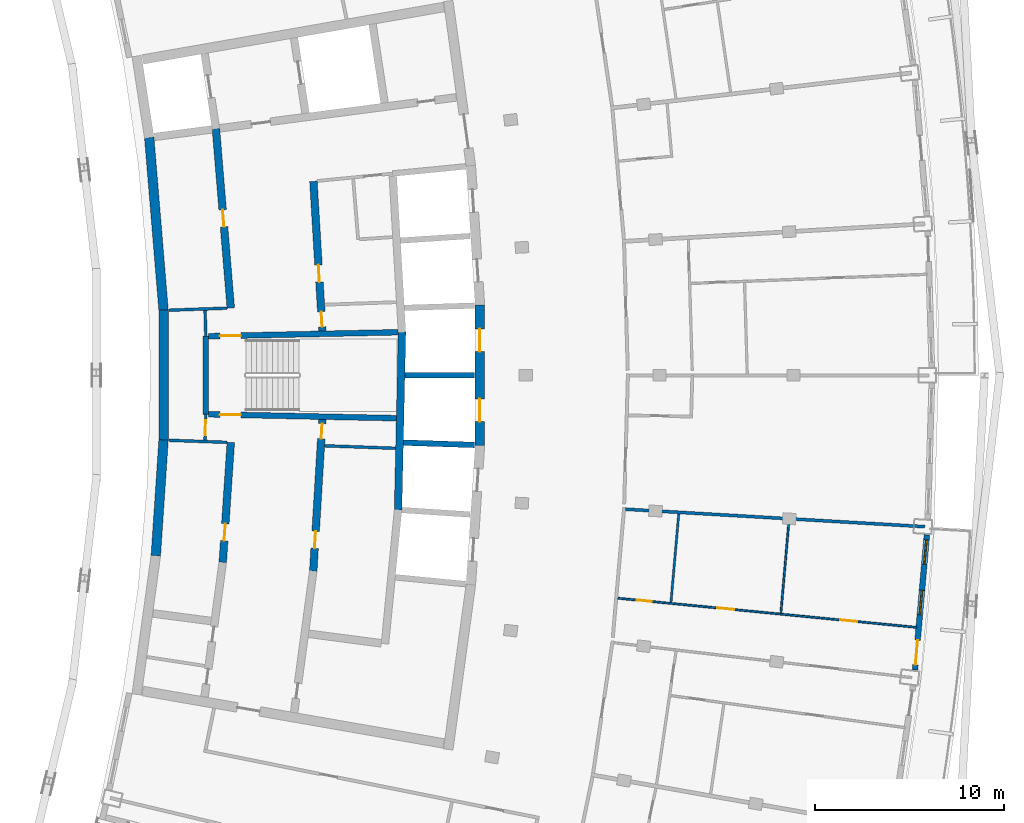
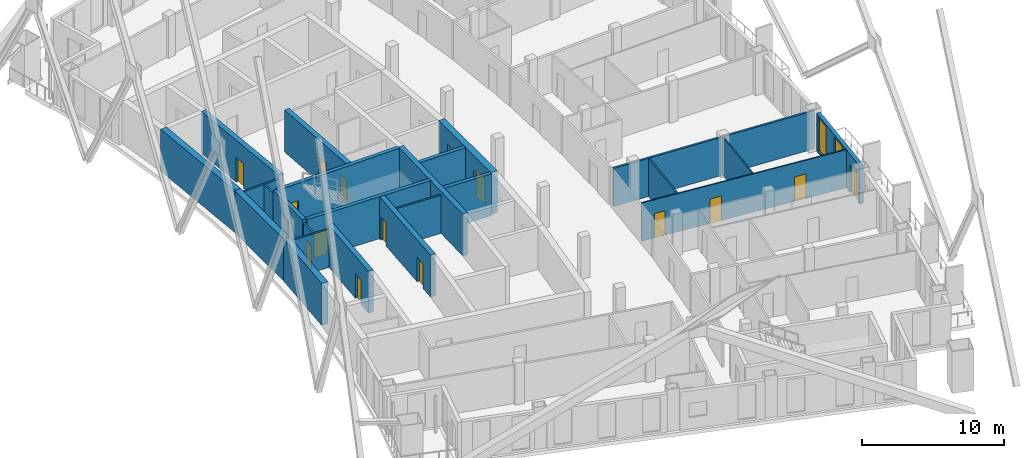
# One storey, part 10 of 16: 24 walls, 15 doors, 2 windows, 17 openings.
"""IFC4 building model written with IfcOpenShell, lengths in metres."""

from ifc_helpers import new_model, si_unit, direction, frame, frame_2d, origin, place, context, subcontext, project, spatial, rectangle, extrude, material, layer, layer_set, type_object, element, fill, save


model = new_model("IFC4")

# Units and contexts
model_context = context("Model", 3, precision=1e-05, world=origin(), true_north=direction((0.0, 1.0)))
body_context = subcontext(model_context, "Body", "Model", "MODEL_VIEW")
ifc_project = project(units=[si_unit("LENGTHUNIT", "METRE"), si_unit("AREAUNIT", "SQUARE_METRE"), si_unit("VOLUMEUNIT", "CUBIC_METRE"), si_unit("PLANEANGLEUNIT", "RADIAN"), si_unit("MASSUNIT", "GRAM", prefix="KILO")], contexts=[model_context])

# Site, building, storey
site_placement = place(None, origin())
site = spatial("IfcSite", under=ifc_project, at=site_placement, CompositionType="ELEMENT")
building_placement = place(site_placement, origin())
building = spatial("IfcBuilding", under=site, at=building_placement, Name="Alderwake Tower", CompositionType="ELEMENT")
storey_placement = place(building_placement, frame((0.0, 0.0, 245.60009765625)))
storey = spatial("IfcBuildingStorey", under=building, at=storey_placement, Name="L60", CompositionType="ELEMENT", Elevation=245.60009765625)

# Wall
ifc_material_1 = material(Name="Gypsum shaft wall system, rated")
ifc_layer_1 = layer(ifc_material_1, 0.14990234375)
ifc_layer_set_1 = layer_set([ifc_layer_1], Name="Core riser partition 150")
wall_type_1 = type_object("IfcWallType", Name="Core riser partition 150", PredefinedType="PARTITIONING", material=ifc_layer_set_1)
wall_1_placement = place(storey_placement, frame((25.1904296875, 57.276611328125, 0.0), z_axis=(0.0, 0.0, 1.0), x_axis=(0.99937350076, -0.035392173974, 0.0)))
element("IfcWall", 1, at=wall_1_placement, inside=storey, type_object=wall_type_1, Name="CW/L60/PR-37_+86", PredefinedType="PARTITIONING", context=body_context, shape_type="SweptSolid", body=[
    extrude(rectangle(XDim=3.752685546875, YDim=0.14990234375, at=frame_2d((1.87646484375, 0.0))), origin(), (0.0, 0.0, 1.0), 3.27978515625),
])

# Wall, opening, door
ifc_material_2 = material(Name="Gypsum shaft wall system, rated")
ifc_layer_2 = layer(ifc_material_2, 0.14990234375)
ifc_layer_set_2 = layer_set([ifc_layer_2], Name="Core room partition 150")
wall_type_2 = type_object("IfcWallType", Name="Core room partition 150", PredefinedType="PARTITIONING", material=ifc_layer_set_2)
wall_2_placement = place(storey_placement, frame((18.918701171875, 58.94384765625, 0.0), z_axis=(0.0, 0.0, 1.0), x_axis=(-0.027811602725, -0.999613182563, 0.0)))
wall_2 = element("IfcWall", 2, at=wall_2_placement, inside=storey, type_object=wall_type_2, Name="CW/L60/PA+24_-37", PredefinedType="PARTITIONING", context=body_context, shape_type="SweptSolid", body=[
    extrude(rectangle(XDim=1.369384765625, YDim=0.14990234375, at=frame_2d((0.6845703125, 0.0))), origin(), (0.0, 0.0, 1.0), 3.27978515625),
])
opening_1_placement = place(wall_2_placement, frame((0.322998046875, 0.0, 0.0)))
opening_1 = element("IfcOpeningElement", 3, at=opening_1_placement, cuts=wall_2, Name="Opening C004", PredefinedType="OPENING", context=body_context, shape_type="SweptSolid", body=[
    extrude(rectangle(XDim=0.800048828125, YDim=2.0, at=frame_2d((0.39990234375, 1.0))), frame((0.0, 0.0849609375, 0.0), z_axis=(0.0, -1.0, 0.0), x_axis=(1.0, 0.0, 0.0)), (0.0, 0.0, 1.0), 0.169921875),
])
ifc_material_3 = material(Name="Painted steel leaf, rated", Category="steel")
door_type_1 = type_object("IfcDoorType", Name="Riser access door 800", OperationType="SINGLE_SWING_LEFT", PredefinedType="DOOR", material=ifc_material_3)
door_1_placement = place(opening_1_placement, origin())
door_1 = element("IfcDoor", 4, at=door_1_placement, inside=storey, type_object=door_type_1, Name="Riser access door", OperationType="SINGLE_SWING_RIGHT", OverallHeight=2.0, OverallWidth=0.800048828125, PredefinedType="DOOR", context=body_context, shape_type="SweptSolid", body=[
    extrude(rectangle(XDim=0.800048828125, YDim=2.0, at=frame_2d((0.39990234375, 1.0))), frame((0.0, 0.02490234375, 0.0), z_axis=(0.0, -1.0, 0.0), x_axis=(1.0, 0.0, 0.0)), (0.0, 0.0, 1.0), 0.050048828125),
])
fill(opening_1, door_1)

# Walls
wall_3_placement = place(storey_placement, frame((18.918701171875, 63.05517578125, 0.0), z_axis=(0.0, 0.0, 1.0), x_axis=(-0.027791791559, 0.99961373356, 0.0)))
element("IfcWall", 5, at=wall_3_placement, inside=storey, type_object=wall_type_2, Name="CW/L60/PA+24_+22", PredefinedType="PARTITIONING", context=body_context, shape_type="SweptSolid", body=[
    extrude(rectangle(XDim=1.370361328125, YDim=0.14990234375, at=frame_2d((0.68505859375, 0.0))), origin(), (0.0, 0.0, 1.0), 3.27978515625),
])
for number, where, z_axis, x_axis, name in (
    (6, (16.969482421875, 57.5673828125, 0.0), (0.0, 0.0, 1.0), (0.999376258731, -0.035314210814, 0.0), "CW/L60/PR-37_+0"),
    (7, (16.969482421875, 64.4326171875, 0.0), (0.0, 0.0, 1.0), (0.999376258731, 0.035314210814, 0.0), "CW/L60/PR+37_+0"),
):
    element("IfcWall", number, at=place(storey_placement, frame(where, z_axis=z_axis, x_axis=x_axis)), inside=storey, type_object=wall_type_2, Name=name, PredefinedType="PARTITIONING", context=body_context, shape_type="SweptSolid", body=[
        extrude(rectangle(XDim=3.069580078125, YDim=0.14990234375, at=frame_2d((1.53466796875, 0.0))), origin(), (0.0, 0.0, 1.0), 3.27978515625),
    ])
ifc_material_4 = material(Name="Concrete C70/85", Category="concrete")
ifc_layer_3 = layer(ifc_material_4, 0.5)
ifc_layer_set_3 = layer_set([ifc_layer_3], Name="Core wall outer 500 C70-85")
wall_type_3 = type_object("IfcWallType", Name="Core wall outer 500 C70-85", PredefinedType="SHEAR", material=ifc_layer_set_3)
wall_4_placement = place(storey_placement, frame((16.280517578125, 51.4765625, 0.0), z_axis=(0.0, 0.0, 1.0), x_axis=(0.066863022947, 0.997762164127, 0.0)))
element("IfcWall", 8, at=wall_4_placement, inside=storey, type_object=wall_type_3, Name="Core wall CW.027", PredefinedType="SHEAR", context=body_context, shape_type="SweptSolid", body=[
    extrude(rectangle(XDim=6.123291015625, YDim=0.5, at=frame_2d((3.0615234375, 0.0))), origin(), (0.0, 0.0, 1.0), 3.599853515625),
])
wall_5_placement = place(storey_placement, frame((16.689453125, 57.568603515625, 0.0), z_axis=(0.0, 0.0, 1.0), x_axis=(0.0, 1.0, 0.0)))
element("IfcWall", 9, at=wall_5_placement, inside=storey, type_object=wall_type_3, Name="Core wall CW.029", PredefinedType="SHEAR", context=body_context, shape_type="SweptSolid", body=[
    extrude(rectangle(XDim=6.86474609375, YDim=0.5, at=frame_2d((3.432373046875, 0.0))), origin(), (0.0, 0.0, 1.0), 3.599853515625),
])
wall_6_placement = place(storey_placement, frame((16.690185546875, 64.41162109375, 0.0), z_axis=(0.0, 0.0, 1.0), x_axis=(-0.082611702064, 0.996581811334, 0.0)))
element("IfcWall", 10, at=wall_6_placement, inside=storey, type_object=wall_type_3, Name="Core wall CW.026", PredefinedType="SHEAR", context=body_context, shape_type="SweptSolid", body=[
    extrude(rectangle(XDim=9.176025390625, YDim=0.5, at=frame_2d((4.587890625, 0.0))), origin(), (0.0, 0.0, 1.0), 3.599853515625),
])

# Wall, openings, doors
wall_7_placement = place(storey_placement, frame((33.389892578125, 57.30322265625, 0.0), z_axis=(0.0, 0.0, 1.0), x_axis=(0.0, 1.0, 0.0)))
wall_7 = element("IfcWall", 11, at=wall_7_placement, inside=storey, type_object=wall_type_3, Name="Core wall CW.023", PredefinedType="SHEAR", context=body_context, shape_type="SweptSolid", body=[
    extrude(rectangle(XDim=7.3935546875, YDim=0.5, at=frame_2d((3.69677734375, 0.0))), origin(), (0.0, 0.0, 1.0), 3.599853515625),
])
opening_2_placement = place(wall_7_placement, frame((1.25244140625, 0.0, 0.0)))
opening_2 = element("IfcOpeningElement", 12, at=opening_2_placement, cuts=wall_7, Name="Opening LD-HP3", PredefinedType="OPENING", context=body_context, shape_type="SweptSolid", body=[
    extrude(rectangle(XDim=1.199951171875, YDim=2.300048828125, at=frame_2d((0.60009765625, 1.14990234375))), frame((0.0, 0.260009765625, 0.0), z_axis=(0.0, -1.0, 0.0), x_axis=(1.0, 0.0, 0.0)), (0.0, 0.0, 1.0), 0.52001953125),
])
opening_3_placement = place(wall_7_placement, frame((4.94091796875, 0.0, 0.0)))
opening_3 = element("IfcOpeningElement", 13, at=opening_3_placement, cuts=wall_7, Name="Opening LD-HP4", PredefinedType="OPENING", context=body_context, shape_type="SweptSolid", body=[
    extrude(rectangle(XDim=1.199951171875, YDim=2.300048828125, at=frame_2d((0.60009765625, 1.14990234375))), frame((0.0, 0.260009765625, 0.0), z_axis=(0.0, -1.0, 0.0), x_axis=(1.0, 0.0, 0.0)), (0.0, 0.0, 1.0), 0.52001953125),
])
ifc_material_5 = material(Name="Stainless steel sliding leaf", Category="steel")
door_type_2 = type_object("IfcDoorType", Name="Lift landing door 1200", OperationType="SLIDING_TO_LEFT", PredefinedType="DOOR", material=ifc_material_5)
door_2_placement = place(opening_2_placement, origin())
door_2 = element("IfcDoor", 14, at=door_2_placement, inside=storey, type_object=door_type_2, Name="Lift landing door HP3", OperationType="SLIDING_TO_LEFT", OverallHeight=2.300048828125, OverallWidth=1.199951171875, PredefinedType="DOOR", context=body_context, shape_type="SweptSolid", body=[
    extrude(rectangle(XDim=1.199951171875, YDim=2.300048828125, at=frame_2d((0.60009765625, 1.14990234375))), frame((0.0, 0.02490234375, 0.0), z_axis=(0.0, -1.0, 0.0), x_axis=(1.0, 0.0, 0.0)), (0.0, 0.0, 1.0), 0.050048828125),
])
fill(opening_2, door_2)
door_3_placement = place(opening_3_placement, origin())
door_3 = element("IfcDoor", 15, at=door_3_placement, inside=storey, type_object=door_type_2, Name="Lift landing door HP4", OperationType="SLIDING_TO_LEFT", OverallHeight=2.300048828125, OverallWidth=1.199951171875, PredefinedType="DOOR", context=body_context, shape_type="SweptSolid", body=[
    extrude(rectangle(XDim=1.199951171875, YDim=2.300048828125, at=frame_2d((0.60009765625, 1.14990234375))), frame((0.0, 0.02490234375, 0.0), z_axis=(0.0, -1.0, 0.0), x_axis=(1.0, 0.0, 0.0)), (0.0, 0.0, 1.0), 0.050048828125),
])
fill(opening_3, door_3)

# Walls
ifc_material_6 = material(Name="Concrete C70/85", Category="concrete")
ifc_layer_4 = layer(ifc_material_6, 0.300048828125)
ifc_layer_set_4 = layer_set([ifc_layer_4], Name="Core wall shaft 300 C70-85")
wall_type_4 = type_object("IfcWallType", Name="Core wall shaft 300 C70-85", PredefinedType="SHEAR", material=ifc_layer_set_4)
wall_8_placement = place(storey_placement, frame((29.347412109375, 57.443603515625, 0.0), z_axis=(0.0, 0.0, 1.0), x_axis=(0.99946995342, -0.032554757112, 0.0)))
element("IfcWall", 16, at=wall_8_placement, inside=storey, type_object=wall_type_4, Name="Core wall CW.075", PredefinedType="SHEAR", context=body_context, shape_type="SweptSolid", body=[
    extrude(rectangle(XDim=3.7646484375, YDim=0.300048828125, at=frame_2d((1.88232421875, 0.0))), origin(), (0.0, 0.0, 1.0), 3.599853515625),
])
wall_9_placement = place(storey_placement, frame((29.426025390625, 61.0, 0.0), z_axis=(0.0, 0.0, 1.0), x_axis=(1.0, 0.0, 0.0)))
element("IfcWall", 17, at=wall_9_placement, inside=storey, type_object=wall_type_4, Name="Core wall CW.048", PredefinedType="SHEAR", context=body_context, shape_type="SweptSolid", body=[
    extrude(rectangle(XDim=3.68408203125, YDim=0.300048828125, at=frame_2d((1.842041015625, 0.0))), origin(), (0.0, 0.0, 1.0), 3.599853515625),
])

# Wall, opening, door
ifc_material_7 = material(Name="Concrete C70/85", Category="concrete")
ifc_layer_5 = layer(ifc_material_7, 0.39990234375)
ifc_layer_set_5 = layer_set([ifc_layer_5], Name="Core wall spine 400 C70-85")
wall_type_5 = type_object("IfcWallType", Name="Core wall spine 400 C70-85", PredefinedType="SHEAR", material=ifc_layer_set_5)
wall_10_placement = place(storey_placement, frame((20.2373046875, 57.451904296875, 0.0), z_axis=(0.0, 0.0, 1.0), x_axis=(-0.066884681503, -0.997760712486, 0.0)))
wall_10 = element("IfcWall", 18, at=wall_10_placement, inside=storey, type_object=wall_type_5, Name="Core wall CW.032", PredefinedType="SHEAR", context=body_context, shape_type="SweptSolid", body=[
    extrude(rectangle(XDim=6.336669921875, YDim=0.39990234375, at=frame_2d((3.16845703125, 0.0))), origin(), (0.0, 0.0, 1.0), 3.599853515625),
])
opening_4_placement = place(wall_10_placement, frame((4.29736328125, 0.0, 0.0)))
opening_4 = element("IfcOpeningElement", 19, at=opening_4_placement, cuts=wall_10, Name="Opening C037", PredefinedType="OPENING", context=body_context, shape_type="SweptSolid", body=[
    extrude(rectangle(XDim=0.89990234375, YDim=2.10009765625, at=frame_2d((0.449951171875, 1.050048828125))), frame((0.0, 0.2099609375, 0.0), z_axis=(0.0, -1.0, 0.0), x_axis=(1.0, 0.0, 0.0)), (0.0, 0.0, 1.0), 0.419921875),
])
ifc_material_8 = material(Name="Painted steel leaf", Category="steel")
door_type_3 = type_object("IfcDoorType", Name="Core room door 900", OperationType="SINGLE_SWING_LEFT", PredefinedType="DOOR", material=ifc_material_8)
door_4_placement = place(opening_4_placement, origin())
door_4 = element("IfcDoor", 20, at=door_4_placement, inside=storey, type_object=door_type_3, Name="Room door", OperationType="SINGLE_SWING_RIGHT", OverallHeight=2.10009765625, OverallWidth=0.89990234375, PredefinedType="DOOR", context=body_context, shape_type="SweptSolid", body=[
    extrude(rectangle(XDim=0.89990234375, YDim=2.10009765625, at=frame_2d((0.449951171875, 1.050048828125))), frame((0.0, 0.02490234375, 0.0), z_axis=(0.0, -1.0, 0.0), x_axis=(1.0, 0.0, 0.0)), (0.0, 0.0, 1.0), 0.050048828125),
])
fill(opening_4, door_4)

wall_11_placement = place(storey_placement, frame((19.452392578125, 74.014892578125, 0.0), z_axis=(0.0, 0.0, 1.0), x_axis=(0.082628585297, -0.996580411654, 0.0)))
wall_11 = element("IfcWall", 21, at=wall_11_placement, inside=storey, type_object=wall_type_5, Name="Core wall CW.031", PredefinedType="SHEAR", context=body_context, shape_type="SweptSolid", body=[
    extrude(rectangle(XDim=9.499267578125, YDim=0.39990234375, at=frame_2d((4.74951171875, 0.0))), origin(), (0.0, 0.0, 1.0), 3.599853515625),
])
opening_5_placement = place(wall_11_placement, frame((4.30322265625, 0.0, 0.0)))
opening_5 = element("IfcOpeningElement", 22, at=opening_5_placement, cuts=wall_11, Name="Opening C051", PredefinedType="OPENING", context=body_context, shape_type="SweptSolid", body=[
    extrude(rectangle(XDim=0.89990234375, YDim=2.10009765625, at=frame_2d((0.449951171875, 1.050048828125))), frame((0.0, 0.2099609375, 0.0), z_axis=(0.0, -1.0, 0.0), x_axis=(1.0, 0.0, 0.0)), (0.0, 0.0, 1.0), 0.419921875),
])
door_5_placement = place(opening_5_placement, origin())
door_5 = element("IfcDoor", 23, at=door_5_placement, inside=storey, type_object=door_type_3, Name="Room door", OperationType="SINGLE_SWING_RIGHT", OverallHeight=2.10009765625, OverallWidth=0.89990234375, PredefinedType="DOOR", context=body_context, shape_type="SweptSolid", body=[
    extrude(rectangle(XDim=0.89990234375, YDim=2.10009765625, at=frame_2d((0.449951171875, 1.050048828125))), frame((0.0, 0.02490234375, 0.0), z_axis=(0.0, -1.0, 0.0), x_axis=(1.0, 0.0, 0.0)), (0.0, 0.0, 1.0), 0.050048828125),
])
fill(opening_5, door_5)

# Wall, openings, doors
wall_12_placement = place(storey_placement, frame((24.590087890625, 50.65673828125, 0.0), z_axis=(0.0, 0.0, 1.0), x_axis=(0.060318641452, 0.998179173041, 0.0)))
wall_12 = element("IfcWall", 24, at=wall_12_placement, inside=storey, type_object=wall_type_5, Name="Core wall CW.046", PredefinedType="SHEAR", context=body_context, shape_type="SweptSolid", body=[
    extrude(rectangle(XDim=8.022216796875, YDim=0.39990234375, at=frame_2d((4.01123046875, 0.0))), origin(), (0.0, 0.0, 1.0), 3.599853515625),
])
opening_6_placement = place(wall_12_placement, frame((7.006103515625, 0.0, 0.0)))
opening_6 = element("IfcOpeningElement", 25, at=opening_6_placement, cuts=wall_12, Name="Opening C006", PredefinedType="OPENING", context=body_context, shape_type="SweptSolid", body=[
    extrude(rectangle(XDim=0.800048828125, YDim=2.0, at=frame_2d((0.39990234375, 1.0))), frame((0.0, 0.2099609375, 0.0), z_axis=(0.0, -1.0, 0.0), x_axis=(1.0, 0.0, 0.0)), (0.0, 0.0, 1.0), 0.419921875),
])
opening_7_placement = place(wall_12_placement, frame((1.21533203125, 0.0, 0.0)))
opening_7 = element("IfcOpeningElement", 26, at=opening_7_placement, cuts=wall_12, Name="Opening C043", PredefinedType="OPENING", context=body_context, shape_type="SweptSolid", body=[
    extrude(rectangle(XDim=0.89990234375, YDim=2.10009765625, at=frame_2d((0.449951171875, 1.050048828125))), frame((0.0, 0.2099609375, 0.0), z_axis=(0.0, -1.0, 0.0), x_axis=(1.0, 0.0, 0.0)), (0.0, 0.0, 1.0), 0.419921875),
])
door_6_placement = place(opening_7_placement, origin())
door_6 = element("IfcDoor", 27, at=door_6_placement, inside=storey, type_object=door_type_3, Name="Room door", OperationType="SINGLE_SWING_LEFT", OverallHeight=2.10009765625, OverallWidth=0.89990234375, PredefinedType="DOOR", context=body_context, shape_type="SweptSolid", body=[
    extrude(rectangle(XDim=0.89990234375, YDim=2.10009765625, at=frame_2d((0.449951171875, 1.050048828125))), frame((0.0, 0.02490234375, 0.0), z_axis=(0.0, -1.0, 0.0), x_axis=(1.0, 0.0, 0.0)), (0.0, 0.0, 1.0), 0.050048828125),
])
fill(opening_7, door_6)
door_7_placement = place(opening_6_placement, origin())
door_7 = element("IfcDoor", 28, at=door_7_placement, inside=storey, type_object=door_type_1, Name="Riser access door", OperationType="SINGLE_SWING_RIGHT", OverallHeight=2.0, OverallWidth=0.800048828125, PredefinedType="DOOR", context=body_context, shape_type="SweptSolid", body=[
    extrude(rectangle(XDim=0.800048828125, YDim=2.0, at=frame_2d((0.39990234375, 1.0))), frame((0.0, 0.02490234375, 0.0), z_axis=(0.0, -1.0, 0.0), x_axis=(1.0, 0.0, 0.0)), (0.0, 0.0, 1.0), 0.050048828125),
])
fill(opening_6, door_7)

wall_13_placement = place(storey_placement, frame((25.073974609375, 63.335693359375, 0.0), z_axis=(0.0, 0.0, 1.0), x_axis=(-0.059848641072, 0.998207463487, 0.0)))
wall_13 = element("IfcWall", 29, at=wall_13_placement, inside=storey, type_object=wall_type_5, Name="Core wall CW.045", PredefinedType="SHEAR", context=body_context, shape_type="SweptSolid", body=[
    extrude(rectangle(XDim=7.913818359375, YDim=0.39990234375, at=frame_2d((3.95703125, 0.0))), origin(), (0.0, 0.0, 1.0), 3.599853515625),
])
opening_8_placement = place(wall_13_placement, frame((0.216064453125, 0.0, 0.0)))
opening_8 = element("IfcOpeningElement", 30, at=opening_8_placement, cuts=wall_13, Name="Opening C005", PredefinedType="OPENING", context=body_context, shape_type="SweptSolid", body=[
    extrude(rectangle(XDim=0.800048828125, YDim=2.0, at=frame_2d((0.39990234375, 1.0))), frame((0.0, 0.2099609375, 0.0), z_axis=(0.0, -1.0, 0.0), x_axis=(1.0, 0.0, 0.0)), (0.0, 0.0, 1.0), 0.419921875),
])
opening_9_placement = place(wall_13_placement, frame((2.590087890625, 0.0, 0.0)))
opening_9 = element("IfcOpeningElement", 31, at=opening_9_placement, cuts=wall_13, Name="Opening C058", PredefinedType="OPENING", context=body_context, shape_type="SweptSolid", body=[
    extrude(rectangle(XDim=0.89990234375, YDim=2.10009765625, at=frame_2d((0.449951171875, 1.050048828125))), frame((0.0, 0.2099609375, 0.0), z_axis=(0.0, -1.0, 0.0), x_axis=(1.0, 0.0, 0.0)), (0.0, 0.0, 1.0), 0.419921875),
])
door_8_placement = place(opening_9_placement, origin())
door_8 = element("IfcDoor", 32, at=door_8_placement, inside=storey, type_object=door_type_3, Name="Room door", OperationType="SINGLE_SWING_LEFT", OverallHeight=2.10009765625, OverallWidth=0.89990234375, PredefinedType="DOOR", context=body_context, shape_type="SweptSolid", body=[
    extrude(rectangle(XDim=0.89990234375, YDim=2.10009765625, at=frame_2d((0.449951171875, 1.050048828125))), frame((0.0, 0.02490234375, 0.0), z_axis=(0.0, -1.0, 0.0), x_axis=(1.0, 0.0, 0.0)), (0.0, 0.0, 1.0), 0.050048828125),
])
fill(opening_9, door_8)
door_9_placement = place(opening_8_placement, origin())
door_9 = element("IfcDoor", 33, at=door_9_placement, inside=storey, type_object=door_type_1, Name="Riser access door", OperationType="SINGLE_SWING_LEFT", OverallHeight=2.0, OverallWidth=0.800048828125, PredefinedType="DOOR", context=body_context, shape_type="SweptSolid", body=[
    extrude(rectangle(XDim=0.800048828125, YDim=2.0, at=frame_2d((0.39990234375, 1.0))), frame((0.0, 0.02490234375, 0.0), z_axis=(0.0, -1.0, 0.0), x_axis=(1.0, 0.0, 0.0)), (0.0, 0.0, 1.0), 0.050048828125),
])
fill(opening_8, door_9)

# Walls
wall_14_placement = place(storey_placement, frame((29.06884765625, 53.889404296875, 0.0), z_axis=(0.0, 0.0, 1.0), x_axis=(0.022115148322, 0.9997554302, 0.0)))
element("IfcWall", 34, at=wall_14_placement, inside=storey, type_object=wall_type_5, Name="Core wall CW.008", PredefinedType="SHEAR", context=body_context, shape_type="SweptSolid", body=[
    extrude(rectangle(XDim=9.39453125, YDim=0.39990234375, at=frame_2d((4.697265625, 0.0))), origin(), (0.0, 0.0, 1.0), 3.599853515625),
])
ifc_material_9 = material(Name="Concrete C70/85", Category="concrete")
ifc_layer_6 = layer(ifc_material_9, 0.300048828125)
ifc_layer_set_6 = layer_set([ifc_layer_6], Name="Core wall stair enclosure 300 C70-85")
wall_type_6 = type_object("IfcWallType", Name="Core wall stair enclosure 300 C70-85", PredefinedType="SHEAR", material=ifc_layer_set_6)
wall_15_placement = place(storey_placement, frame((18.918701171875, 58.940673828125, 0.0), z_axis=(0.0, 0.0, 1.0), x_axis=(0.0, 1.0, 0.0)))
element("IfcWall", 35, at=wall_15_placement, inside=storey, type_object=wall_type_6, Name="Core wall CW.024", PredefinedType="SHEAR", context=body_context, shape_type="SweptSolid", body=[
    extrude(rectangle(XDim=4.11962890625, YDim=0.300048828125, at=frame_2d((2.059814453125, 0.0))), origin(), (0.0, 0.0, 1.0), 3.599853515625),
])

# Wall, opening, door
wall_16_placement = place(storey_placement, frame((28.975830078125, 58.733154296875, 0.0), z_axis=(0.0, 0.0, 1.0), x_axis=(-0.999783782948, 0.020793925895, 0.0)))
wall_16 = element("IfcWall", 36, at=wall_16_placement, inside=storey, type_object=wall_type_6, Name="Core wall CW.074", PredefinedType="SHEAR", context=body_context, shape_type="SweptSolid", body=[
    extrude(rectangle(XDim=9.909423828125, YDim=0.300048828125, at=frame_2d((4.95458984375, 0.0))), origin(), (0.0, 0.0, 1.0), 3.599853515625),
])
opening_10_placement = place(wall_16_placement, frame((8.20947265625, 0.0, 0.0)))
opening_10 = element("IfcOpeningElement", 37, at=opening_10_placement, cuts=wall_16, Name="Opening C063", PredefinedType="OPENING", context=body_context, shape_type="SweptSolid", body=[
    extrude(rectangle(XDim=1.10009765625, YDim=2.10009765625, at=frame_2d((0.550048828125, 1.050048828125))), frame((0.0, 0.159912109375, 0.0), z_axis=(0.0, -1.0, 0.0), x_axis=(1.0, 0.0, 0.0)), (0.0, 0.0, 1.0), 0.320068359375),
])
ifc_material_10 = material(Name="Steel-framed fire door leaf", Category="steel")
door_type_4 = type_object("IfcDoorType", Name="Core stair door 1100 fire-rated", OperationType="SINGLE_SWING_LEFT", PredefinedType="DOOR", material=ifc_material_10)
door_10_placement = place(opening_10_placement, origin())
door_10 = element("IfcDoor", 38, at=door_10_placement, inside=storey, type_object=door_type_4, Name="Stair door", OperationType="SINGLE_SWING_LEFT", OverallHeight=2.10009765625, OverallWidth=1.10009765625, PredefinedType="DOOR", context=body_context, shape_type="SweptSolid", body=[
    extrude(rectangle(XDim=1.10009765625, YDim=2.10009765625, at=frame_2d((0.550048828125, 1.050048828125))), frame((0.0, 0.02490234375, 0.0), z_axis=(0.0, -1.0, 0.0), x_axis=(1.0, 0.0, 0.0)), (0.0, 0.0, 1.0), 0.050048828125),
])
fill(opening_10, door_10)

wall_17_placement = place(storey_placement, frame((19.068603515625, 63.060791015625, 0.0), z_axis=(0.0, 0.0, 1.0), x_axis=(0.999783553773, 0.02080494185, 0.0)))
wall_17 = element("IfcWall", 39, at=wall_17_placement, inside=storey, type_object=wall_type_6, Name="Core wall CW.057", PredefinedType="SHEAR", context=body_context, shape_type="SweptSolid", body=[
    extrude(rectangle(XDim=10.009765625, YDim=0.300048828125, at=frame_2d((5.0048828125, 0.0))), origin(), (0.0, 0.0, 1.0), 3.599853515625),
])
opening_11_placement = place(wall_17_placement, frame((0.60009765625, 0.0, 0.0)))
opening_11 = element("IfcOpeningElement", 40, at=opening_11_placement, cuts=wall_17, Name="Opening C064", PredefinedType="OPENING", context=body_context, shape_type="SweptSolid", body=[
    extrude(rectangle(XDim=1.10009765625, YDim=2.10009765625, at=frame_2d((0.550048828125, 1.050048828125))), frame((0.0, 0.159912109375, 0.0), z_axis=(0.0, -1.0, 0.0), x_axis=(1.0, 0.0, 0.0)), (0.0, 0.0, 1.0), 0.320068359375),
])
door_11_placement = place(opening_11_placement, origin())
door_11 = element("IfcDoor", 41, at=door_11_placement, inside=storey, type_object=door_type_4, Name="Stair door", OperationType="SINGLE_SWING_RIGHT", OverallHeight=2.10009765625, OverallWidth=1.10009765625, PredefinedType="DOOR", context=body_context, shape_type="SweptSolid", body=[
    extrude(rectangle(XDim=1.10009765625, YDim=2.10009765625, at=frame_2d((0.550048828125, 1.050048828125))), frame((0.0, 0.02490234375, 0.0), z_axis=(0.0, -1.0, 0.0), x_axis=(1.0, 0.0, 0.0)), (0.0, 0.0, 1.0), 0.050048828125),
])
fill(opening_11, door_11)

# Wall
ifc_material_11 = material(Name="Gypsum board on metal studs, rated")
ifc_layer_7 = layer(ifc_material_11, 0.159912109375)
ifc_layer_set_7 = layer_set([ifc_layer_7], Name="Corridor wall 160")
wall_type_7 = type_object("IfcWallType", Name="Corridor wall 160", PredefinedType="PARTITIONING", material=ifc_layer_set_7)
wall_18_placement = place(storey_placement, frame((41.074951171875, 53.92919921875, 0.0), z_axis=(0.0, 0.0, 1.0), x_axis=(0.998299769412, -0.058288681503, 0.0)))
element("IfcWall", 42, at=wall_18_placement, inside=storey, type_object=wall_type_7, Name="WL/L60/W24", PredefinedType="PARTITIONING", context=body_context, shape_type="SweptSolid", body=[
    extrude(rectangle(XDim=15.81982421875, YDim=0.159912109375, at=frame_2d((7.909912109375, 0.0))), origin(), (0.0, 0.0, 1.0), 3.27978515625),
])

# Wall, openings, door, windows
ifc_material_12 = material(Name="Precast concrete C50/60 spandrel panel", Category="concrete")
ifc_layer_8 = layer(ifc_material_12, 0.300048828125)
ifc_layer_set_8 = layer_set([ifc_layer_8], Name="External wall EW1 Precast concrete C50/60 spandrel")
wall_type_8 = type_object("IfcWallType", Name="External wall EW1 Precast concrete C50/60 spandrel", PredefinedType="SOLIDWALL", material=ifc_layer_set_8)
wall_19_placement = place(storey_placement, frame((56.353759765625, 45.44384765625, 0.0), z_axis=(0.0, 0.0, 1.0), x_axis=(0.087406300702, 0.99617274536, 0.0)))
wall_19 = element("IfcWall", 43, at=wall_19_placement, inside=storey, type_object=wall_type_8, Name="External wall 14", PredefinedType="SOLIDWALL", context=body_context, shape_type="SweptSolid", body=[
    extrude(rectangle(XDim=7.16162109375, YDim=0.300048828125, at=frame_2d((3.580810546875, 0.0))), origin(), (0.0, 0.0, 1.0), 3.27978515625),
])
opening_12_placement = place(wall_19_placement, frame((0.267333984375, 0.0, 0.0)))
opening_12 = element("IfcOpeningElement", 44, at=opening_12_placement, cuts=wall_19, Name="Opening D04", PredefinedType="OPENING", context=body_context, shape_type="SweptSolid", body=[
    extrude(rectangle(XDim=1.300048828125, YDim=2.39990234375, at=frame_2d((0.64990234375, 1.199951171875))), frame((0.0, 0.159912109375, 0.0), z_axis=(0.0, -1.0, 0.0), x_axis=(1.0, 0.0, 0.0)), (0.0, 0.0, 1.0), 0.320068359375),
])
opening_13_placement = place(wall_19_placement, frame((2.930908203125, 0.0, 0.199951171875)))
opening_13 = element("IfcOpeningElement", 45, at=opening_13_placement, cuts=wall_19, Name="Opening W1", PredefinedType="OPENING", context=body_context, shape_type="SweptSolid", body=[
    extrude(rectangle(XDim=1.300048828125, YDim=2.89990234375, at=frame_2d((0.64990234375, 1.449951171875))), frame((0.0, 0.159912109375, 0.0), z_axis=(0.0, -1.0, 0.0), x_axis=(1.0, 0.0, 0.0)), (0.0, 0.0, 1.0), 0.320068359375),
])
opening_14_placement = place(wall_19_placement, frame((5.594482421875, 0.0, 0.199951171875)))
opening_14 = element("IfcOpeningElement", 46, at=opening_14_placement, cuts=wall_19, Name="Opening W1", PredefinedType="OPENING", context=body_context, shape_type="SweptSolid", body=[
    extrude(rectangle(XDim=1.300048828125, YDim=2.89990234375, at=frame_2d((0.64990234375, 1.449951171875))), frame((0.0, 0.159912109375, 0.0), z_axis=(0.0, -1.0, 0.0), x_axis=(1.0, 0.0, 0.0)), (0.0, 0.0, 1.0), 0.320068359375),
])
ifc_material_13 = material(Name="Bronze tinted glass in aluminium frame", Category="aluminium")
door_type_5 = type_object("IfcDoorType", Name="Balcony door BD sliding", OperationType="SLIDING_TO_LEFT", PredefinedType="DOOR", material=ifc_material_13)
door_12_placement = place(opening_12_placement, origin())
door_12 = element("IfcDoor", 47, at=door_12_placement, inside=storey, type_object=door_type_5, Name="Door D04", OperationType="SLIDING_TO_LEFT", OverallHeight=2.39990234375, OverallWidth=1.300048828125, PredefinedType="DOOR", context=body_context, shape_type="SweptSolid", body=[
    extrude(rectangle(XDim=1.300048828125, YDim=2.39990234375, at=frame_2d((0.64990234375, 1.199951171875))), frame((0.0, 0.02490234375, 0.0), z_axis=(0.0, -1.0, 0.0), x_axis=(1.0, 0.0, 0.0)), (0.0, 0.0, 1.0), 0.050048828125),
])
fill(opening_12, door_12)
ifc_material_14 = material(Name="Bronze tinted glass in aluminium frame", Category="aluminium")
window_type = type_object("IfcWindowType", Name="Window W1 tall fixed and vent", PartitioningType="DOUBLE_PANEL_VERTICAL", PredefinedType="WINDOW", material=ifc_material_14)
window_1_placement = place(opening_13_placement, origin())
window_1 = element("IfcWindow", 48, at=window_1_placement, inside=storey, type_object=window_type, Name="Window W1 tall fixed and vent", OverallHeight=2.89990234375, OverallWidth=1.300048828125, PartitioningType="DOUBLE_PANEL_VERTICAL", PredefinedType="WINDOW", context=body_context, shape_type="SweptSolid", body=[
    extrude(rectangle(XDim=1.300048828125, YDim=2.89990234375, at=frame_2d((0.64990234375, 1.449951171875))), frame((0.0, 0.030029296875, 0.0), z_axis=(0.0, -1.0, 0.0), x_axis=(1.0, 0.0, 0.0)), (0.0, 0.0, 1.0), 0.06005859375),
])
fill(opening_13, window_1)
window_2_placement = place(opening_14_placement, origin())
window_2 = element("IfcWindow", 49, at=window_2_placement, inside=storey, type_object=window_type, Name="Window W1 tall fixed and vent", OverallHeight=2.89990234375, OverallWidth=1.300048828125, PartitioningType="DOUBLE_PANEL_VERTICAL", PredefinedType="WINDOW", context=body_context, shape_type="SweptSolid", body=[
    extrude(rectangle(XDim=1.300048828125, YDim=2.89990234375, at=frame_2d((0.64990234375, 1.449951171875))), frame((0.0, 0.030029296875, 0.0), z_axis=(0.0, -1.0, 0.0), x_axis=(1.0, 0.0, 0.0)), (0.0, 0.0, 1.0), 0.06005859375),
])
fill(opening_14, window_2)

# Wall, openings, doors
ifc_material_15 = material(Name="Gypsum board on metal studs")
ifc_layer_9 = layer(ifc_material_15, 0.10009765625)
ifc_layer_set_9 = layer_set([ifc_layer_9], Name="Unit partition 100")
wall_type_9 = type_object("IfcWallType", Name="Unit partition 100", PredefinedType="PARTITIONING", material=ifc_layer_set_9)
wall_20_placement = place(storey_placement, frame((40.66064453125, 49.231201171875, 0.0), z_axis=(0.0, 0.0, 1.0), x_axis=(0.995274307412, -0.097103310995, 0.0)))
wall_20 = element("IfcWall", 50, at=wall_20_placement, inside=storey, type_object=wall_type_9, Name="WL/L60/W47", PredefinedType="PARTITIONING", context=body_context, shape_type="SweptSolid", body=[
    extrude(rectangle(XDim=15.8623046875, YDim=0.10009765625, at=frame_2d((7.93115234375, 0.0))), origin(), (0.0, 0.0, 1.0), 3.27978515625),
])
opening_15_placement = place(wall_20_placement, frame((5.284912109375, 0.0, 0.0)))
opening_15 = element("IfcOpeningElement", 51, at=opening_15_placement, cuts=wall_20, Name="Opening R17-U04.5", PredefinedType="OPENING", context=body_context, shape_type="SweptSolid", body=[
    extrude(rectangle(XDim=0.89990234375, YDim=2.10009765625, at=frame_2d((0.449951171875, 1.050048828125))), frame((0.0, 0.06005859375, 0.0), z_axis=(0.0, -1.0, 0.0), x_axis=(1.0, 0.0, 0.0)), (0.0, 0.0, 1.0), 0.1201171875),
])
opening_16_placement = place(wall_20_placement, frame((1.010009765625, 0.0, 0.0)))
opening_16 = element("IfcOpeningElement", 52, at=opening_16_placement, cuts=wall_20, Name="Opening R17-U04.6", PredefinedType="OPENING", context=body_context, shape_type="SweptSolid", body=[
    extrude(rectangle(XDim=0.800048828125, YDim=2.10009765625, at=frame_2d((0.39990234375, 1.050048828125))), frame((0.0, 0.06005859375, 0.0), z_axis=(0.0, -1.0, 0.0), x_axis=(1.0, 0.0, 0.0)), (0.0, 0.0, 1.0), 0.1201171875),
])
opening_17_placement = place(wall_20_placement, frame((11.80615234375, 0.0, 0.0)))
opening_17 = element("IfcOpeningElement", 53, at=opening_17_placement, cuts=wall_20, Name="Opening R17-U04.7", PredefinedType="OPENING", context=body_context, shape_type="SweptSolid", body=[
    extrude(rectangle(XDim=0.89990234375, YDim=2.10009765625, at=frame_2d((0.449951171875, 1.050048828125))), frame((0.0, 0.06005859375, 0.0), z_axis=(0.0, -1.0, 0.0), x_axis=(1.0, 0.0, 0.0)), (0.0, 0.0, 1.0), 0.1201171875),
])
ifc_material_16 = material(Name="Painted timber leaf", Category="wood")
door_type_6 = type_object("IfcDoorType", Name="Bathroom door 800", OperationType="SINGLE_SWING_LEFT", PredefinedType="DOOR", material=ifc_material_16)
door_13_placement = place(opening_16_placement, origin())
door_13 = element("IfcDoor", 54, at=door_13_placement, inside=storey, type_object=door_type_6, Name="DR/L60/U04.6", OperationType="SINGLE_SWING_LEFT", OverallHeight=2.10009765625, OverallWidth=0.800048828125, PredefinedType="DOOR", context=body_context, shape_type="SweptSolid", body=[
    extrude(rectangle(XDim=0.800048828125, YDim=2.10009765625, at=frame_2d((0.39990234375, 1.050048828125))), frame((0.0, 0.02490234375, 0.0), z_axis=(0.0, -1.0, 0.0), x_axis=(1.0, 0.0, 0.0)), (0.0, 0.0, 1.0), 0.050048828125),
])
fill(opening_16, door_13)
ifc_material_17 = material(Name="Painted timber leaf", Category="wood")
door_type_7 = type_object("IfcDoorType", Name="Room door 900", OperationType="SINGLE_SWING_LEFT", PredefinedType="DOOR", material=ifc_material_17)
door_14_placement = place(opening_15_placement, origin())
door_14 = element("IfcDoor", 55, at=door_14_placement, inside=storey, type_object=door_type_7, Name="DR/L60/U04.5", OperationType="SINGLE_SWING_LEFT", OverallHeight=2.10009765625, OverallWidth=0.89990234375, PredefinedType="DOOR", context=body_context, shape_type="SweptSolid", body=[
    extrude(rectangle(XDim=0.89990234375, YDim=2.10009765625, at=frame_2d((0.449951171875, 1.050048828125))), frame((0.0, 0.02490234375, 0.0), z_axis=(0.0, -1.0, 0.0), x_axis=(1.0, 0.0, 0.0)), (0.0, 0.0, 1.0), 0.050048828125),
])
fill(opening_15, door_14)
door_15_placement = place(opening_17_placement, origin())
door_15 = element("IfcDoor", 56, at=door_15_placement, inside=storey, type_object=door_type_7, Name="DR/L60/U04.7", OperationType="SINGLE_SWING_LEFT", OverallHeight=2.10009765625, OverallWidth=0.89990234375, PredefinedType="DOOR", context=body_context, shape_type="SweptSolid", body=[
    extrude(rectangle(XDim=0.89990234375, YDim=2.10009765625, at=frame_2d((0.449951171875, 1.050048828125))), frame((0.0, 0.02490234375, 0.0), z_axis=(0.0, -1.0, 0.0), x_axis=(1.0, 0.0, 0.0)), (0.0, 0.0, 1.0), 0.050048828125),
])
fill(opening_17, door_15)

# Walls
wall_21_placement = place(storey_placement, frame((49.2734375, 48.44287109375, 0.0), z_axis=(0.0, 0.0, 1.0), x_axis=(0.087282672152, 0.99618358506, 0.0)))
element("IfcWall", 57, at=wall_21_placement, inside=storey, type_object=wall_type_9, Name="WL/L60/W53", PredefinedType="PARTITIONING", context=body_context, shape_type="SweptSolid", body=[
    extrude(rectangle(XDim=4.920166015625, YDim=0.10009765625, at=frame_2d((2.4599609375, 0.0))), origin(), (0.0, 0.0, 1.0), 3.27978515625),
])
ifc_material_18 = material(Name="Moisture resistant gypsum board on metal studs")
ifc_layer_10 = layer(ifc_material_18, 0.1201171875)
ifc_layer_set_10 = layer_set([ifc_layer_10], Name="Wet room partition 120")
wall_type_10 = type_object("IfcWallType", Name="Wet room partition 120", PredefinedType="PARTITIONING", material=ifc_layer_set_10)
wall_22_placement = place(storey_placement, frame((43.471435546875, 49.0068359375, 0.0), z_axis=(0.0, 0.0, 1.0), x_axis=(0.087625335485, 0.996153502519, 0.0)))
element("IfcWall", 58, at=wall_22_placement, inside=storey, type_object=wall_type_10, Name="WL/L60/W37", PredefinedType="PARTITIONING", context=body_context, shape_type="SweptSolid", body=[
    extrude(rectangle(XDim=4.697509765625, YDim=0.1201171875, at=frame_2d((2.3486328125, 0.0))), origin(), (0.0, 0.0, 1.0), 3.27978515625),
])

save(model, "model.ifc")
